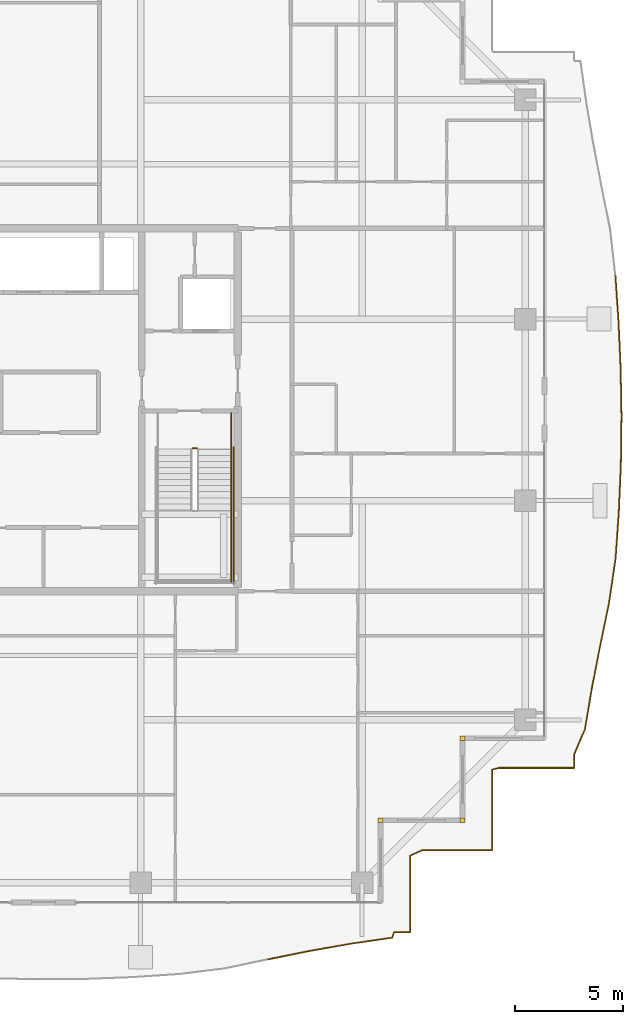
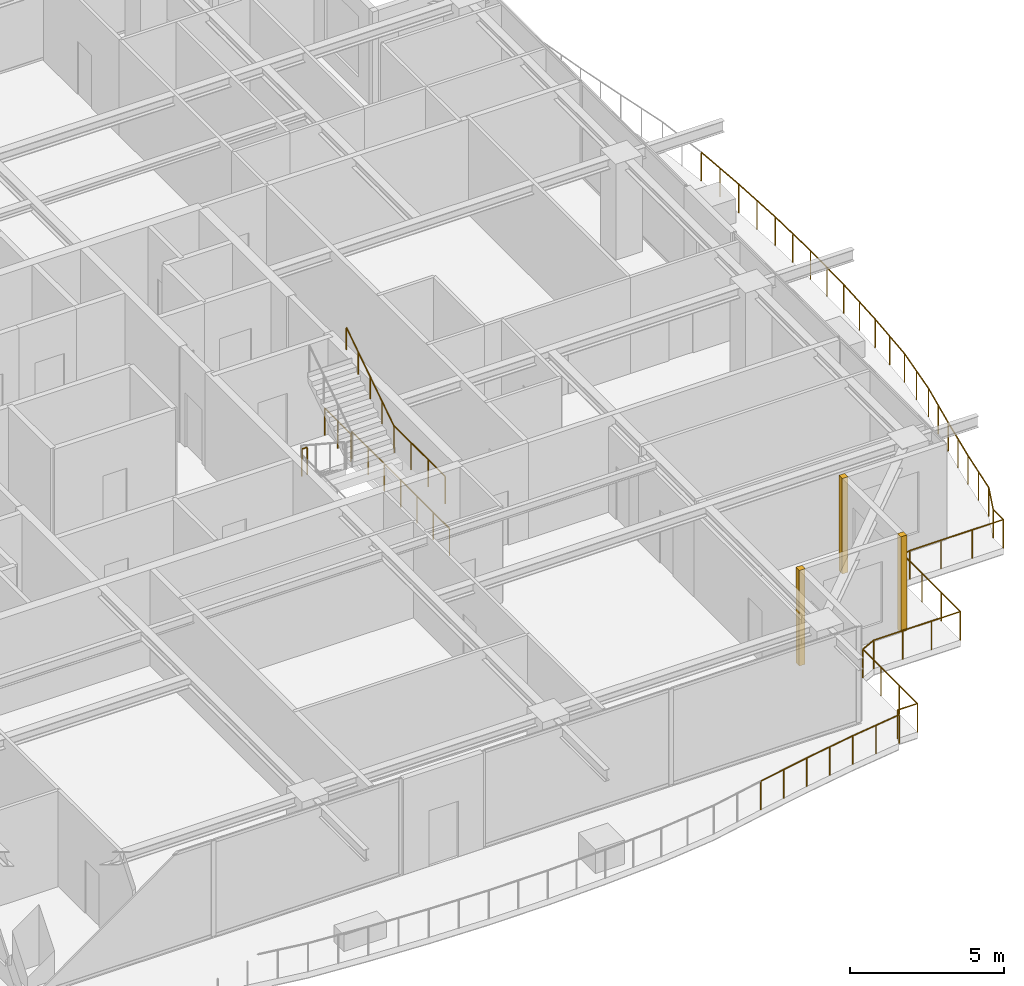
# One storey, part 41 of 42: 8 railings, 3 coverings.
"""IFC4 building model written with IfcOpenShell, lengths in metres."""

import ifcopenshell
import ifcopenshell.guid

model = None  # the IFC model being written
_history = None  # IfcOwnerHistory: only IFC2X3 demands one
_inside = {}  # id of a spatial element -> (the spatial element, [elements in it])
_under = {}  # id of a project, library or spatial element -> (it, [spatial elements below it])
_declared = {}  # id of a project -> (the project, [libraries it declares])
_typed = {}  # id of a type object -> (the type object, [elements of that type])
_made_of = {}  # id of a material, layer set ... -> (it, [elements and type objects made of it])


def new_model(schema):
    """Start an empty IFC model of exactly this schema.

    Asked for "IFC4X3", IfcOpenShell would pick the latest addendum, in which some entities
    have other attributes; the version numbers below select the first issue.
    IFC2X3 requires an IfcOwnerHistory on every rooted entity: one is made here for all.
    """
    global model, _history
    if schema == "IFC4X3":
        model = ifcopenshell.file(schema_version=(4, 3, 0, 0))
    else:
        model = ifcopenshell.file(schema=schema)
    _inside.clear()
    _under.clear()
    _declared.clear()
    _typed.clear()
    _made_of.clear()
    _history = None
    if model.schema == "IFC2X3":
        org = make("IfcOrganization", Name="unknown")
        user = make(
            "IfcPersonAndOrganization",
            ThePerson=make("IfcPerson", FamilyName="unknown"),
            TheOrganization=org,
        )
        app = make(
            "IfcApplication",
            ApplicationDeveloper=org,
            Version="unknown",
            ApplicationFullName="unknown",
            ApplicationIdentifier="unknown",
        )
        _history = make(
            "IfcOwnerHistory",
            OwningUser=user,
            OwningApplication=app,
            ChangeAction="ADDED",
            CreationDate=0,
        )
    return model


def make(cls, **values):
    """One entity of the class cls with the attributes given. An attribute that is None is left unset."""
    return model.create_entity(
        cls, **{name: value for name, value in values.items() if value is not None}
    )


def rooted(cls, **values):
    """An entity with a GlobalId (a new one), such as an element, a storey or a relation."""
    return make(cls, GlobalId=ifcopenshell.guid.new(), OwnerHistory=_history, **values)


def si_unit(unit_type, name, prefix=None):
    """IfcSIUnit, for example si_unit("LENGTHUNIT", "METRE", prefix="MILLI")."""
    return make("IfcSIUnit", UnitType=unit_type, Prefix=prefix, Name=name)


def assignment(units):
    """IfcUnitAssignment: the units of a project."""
    return None if units is None else make("IfcUnitAssignment", Units=units)


def point(xyz):
    """IfcCartesianPoint."""
    return None if xyz is None else make("IfcCartesianPoint", Coordinates=xyz)


def direction(xyz):
    """IfcDirection."""
    return None if xyz is None else make("IfcDirection", DirectionRatios=xyz)


def frame(location, z_axis=None, x_axis=None):
    """IfcAxis2Placement3D, a coordinate frame: its origin and axes. An axis left out is left unset."""
    return make(
        "IfcAxis2Placement3D",
        Location=point(location),
        Axis=direction(z_axis),
        RefDirection=direction(x_axis),
    )


def frame_2d(location, x_axis=None):
    """IfcAxis2Placement2D, a coordinate frame in the plane: its origin and x axis."""
    return make(
        "IfcAxis2Placement2D", Location=point(location), RefDirection=direction(x_axis)
    )


def origin():
    """The frame at (0, 0, 0) with its axes left unset."""
    return frame((0.0, 0.0, 0.0))


def origin_2d():
    """The frame at (0, 0) in the plane with its x axis left unset."""
    return frame_2d((0.0, 0.0))


def place(relative_to, where):
    """IfcLocalPlacement: puts the frame where relative to a parent placement (None: the world)."""
    return make(
        "IfcLocalPlacement", PlacementRelTo=relative_to, RelativePlacement=where
    )


def context(
    kind, dimensions, precision=None, world=None, true_north=None, identifier=None
):
    """IfcGeometricRepresentationContext, for example the 3D "Model" context."""
    return make(
        "IfcGeometricRepresentationContext",
        ContextIdentifier=identifier,
        ContextType=kind,
        CoordinateSpaceDimension=dimensions,
        Precision=precision,
        WorldCoordinateSystem=world,
        TrueNorth=true_north,
    )


def subcontext(parent, identifier, kind, view, scale=None):
    """IfcGeometricRepresentationSubContext, for example "Body" below "Model"."""
    return make(
        "IfcGeometricRepresentationSubContext",
        ContextIdentifier=identifier,
        ContextType=kind,
        ParentContext=parent,
        TargetScale=scale,
        TargetView=view,
    )


def project(units=None, contexts=None):
    """IfcProject with its units and contexts."""
    return rooted(
        "IfcProject",
        Name="project",
        RepresentationContexts=contexts,
        UnitsInContext=assignment(units),
    )


def spatial(cls, under=None, at=None, **own):
    """A site, building, storey or space (cls), placed at a placement, below another one or the project."""
    s = rooted(cls, ObjectPlacement=at, **own)
    if under is not None:
        _under.setdefault(under.id(), (under, []))[1].append(s)
    return s


def profile(cls, at=None, kind="AREA", **sizes):
    """A parametric profile (cls). Its sizes go by their IFC names, for example OverallWidth=200.0."""
    return make(cls, ProfileType=kind, Position=at, **sizes)


def rectangle(**sizes):
    """IfcRectangleProfileDef."""
    return profile("IfcRectangleProfileDef", **sizes)


def circle(**sizes):
    """IfcCircleProfileDef."""
    return profile("IfcCircleProfileDef", **sizes)


def extrude(swept, where, along, depth):
    """IfcExtrudedAreaSolid: the profile swept, set in the frame where, extruded along a direction by depth."""
    return make(
        "IfcExtrudedAreaSolid",
        SweptArea=swept,
        Position=where,
        ExtrudedDirection=direction(along),
        Depth=depth,
    )


def shape(context_of_items, identifier, shape_type, items):
    """IfcShapeRepresentation: the items that make up one representation, for example the "Body"."""
    return make(
        "IfcShapeRepresentation",
        ContextOfItems=context_of_items,
        RepresentationIdentifier=identifier,
        RepresentationType=shape_type,
        Items=items,
    )


def source(mapping_origin, context_of_items, identifier, shape_type, items):
    """IfcRepresentationMap: a shape defined once, which mapped items show again and again."""
    return make(
        "IfcRepresentationMap",
        MappingOrigin=mapping_origin,
        MappedRepresentation=shape(context_of_items, identifier, shape_type, items),
    )


def transform(
    local_origin,
    x_axis=None,
    y_axis=None,
    z_axis=None,
    scale=None,
    scale2=None,
    scale3=None,
    uniform=True,
):
    """IfcCartesianTransformationOperator3D, or its non-uniform kind. x_axis, y_axis, z_axis: its Axis1, 2, 3."""
    if uniform:
        return make(
            "IfcCartesianTransformationOperator3D",
            Axis1=direction(x_axis),
            Axis2=direction(y_axis),
            LocalOrigin=point(local_origin),
            Scale=scale,
            Axis3=direction(z_axis),
        )
    return make(
        "IfcCartesianTransformationOperator3DnonUniform",
        Axis1=direction(x_axis),
        Axis2=direction(y_axis),
        LocalOrigin=point(local_origin),
        Scale=scale,
        Axis3=direction(z_axis),
        Scale2=scale2,
        Scale3=scale3,
    )


def mapped(mapping_source, mapping_target):
    """IfcMappedItem: shows the shape of a source again, moved by a transform."""
    return make(
        "IfcMappedItem", MappingSource=mapping_source, MappingTarget=mapping_target
    )


def material(Name=None, Category=None):
    """IfcMaterial."""
    return make("IfcMaterial", Name=Name, Category=Category)


def layer(
    of_material, thickness, ventilated=None, Name=None, Category=None, Priority=None
):
    """IfcMaterialLayer: one layer of a wall or slab, of a material (None: an air gap)."""
    return make(
        "IfcMaterialLayer",
        Material=of_material,
        LayerThickness=thickness,
        IsVentilated=ventilated,
        Name=Name,
        Category=Category,
        Priority=Priority,
    )


def layer_set(layers, Name=None):
    """IfcMaterialLayerSet."""
    return make("IfcMaterialLayerSet", MaterialLayers=layers, LayerSetName=Name)


def made_of(thing, what):
    """Note that an element or type object is made of a material, layer set ...; save() writes the relation."""
    if what is not None:
        _made_of.setdefault(what.id(), (what, []))[1].append(thing)
    return thing


def type_object(cls, material=None, **own):
    """A type object (cls), such as IfcWallType, which elements share."""
    return made_of(rooted(cls, **own), material)


def element(
    cls,
    number,
    at=None,
    inside=None,
    cuts=None,
    type_object=None,
    material=None,
    context=None,
    identifier="Body",
    shape_type=None,
    held_by="IfcProductDefinitionShape",
    body=None,
    shapes=None,
    **own,
):
    """One element of the class cls, such as IfcWall. Its Tag is "e" and its number.

    at: its placement. inside: the storey or other place that contains it. cuts: it is an
    opening in that element (IfcRelVoidsElement). A single representation is given by context,
    identifier, shape_type and body (its items); several are given by shapes. held_by: the class
    of the entity that holds the representations. save() writes the other relations.
    """
    e = rooted(cls, Tag="e%d" % number, ObjectPlacement=at, **own)
    if body is not None:
        shapes = [shape(context, identifier, shape_type, body)]
    if shapes is not None:
        e.Representation = make(held_by, Representations=shapes)
    if inside is not None:
        _inside.setdefault(inside.id(), (inside, []))[1].append(e)
    if cuts is not None:
        rooted(
            "IfcRelVoidsElement", RelatingBuildingElement=cuts, RelatedOpeningElement=e
        )
    if type_object is not None:
        _typed.setdefault(type_object.id(), (type_object, []))[1].append(e)
    return made_of(e, material)


def aggregate(whole, parts):
    """IfcRelAggregates: a whole, such as a stair, and the parts it consists of."""
    return rooted("IfcRelAggregates", RelatingObject=whole, RelatedObjects=parts)


def save(model, path):
    """Write the relations noted so far, then the file.

    IfcRelAggregates (storeys below a building ...), IfcRelContainedInSpatialStructure (elements
    in a storey), IfcRelDefinesByType, IfcRelAssociatesMaterial and IfcRelDeclares: one each for
    every whole, place, type object, material and project.
    """
    for whole, parts in _under.values():
        aggregate(whole, parts)
    for where, things in _inside.values():
        rooted(
            "IfcRelContainedInSpatialStructure",
            RelatedElements=things,
            RelatingStructure=where,
        )
    for kind, things in _typed.values():
        rooted("IfcRelDefinesByType", RelatedObjects=things, RelatingType=kind)
    for what, things in _made_of.values():
        rooted("IfcRelAssociatesMaterial", RelatedObjects=things, RelatingMaterial=what)
    for by, libraries in _declared.values():
        rooted("IfcRelDeclares", RelatingContext=by, RelatedDefinitions=libraries)
    model.write(path)


model = new_model("IFC4")

# Units and contexts
model_context = context("Model", 3, precision=1e-05, world=origin(), true_north=direction((0.0, 1.0)))
body_context = subcontext(model_context, "Body", "Model", "MODEL_VIEW")
ifc_project = project(units=[si_unit("LENGTHUNIT", "METRE"), si_unit("AREAUNIT", "SQUARE_METRE"), si_unit("VOLUMEUNIT", "CUBIC_METRE"), si_unit("PLANEANGLEUNIT", "RADIAN"), si_unit("MASSUNIT", "GRAM", prefix="KILO")], contexts=[model_context])

# Site, building, storey
site_placement = place(None, origin())
site = spatial("IfcSite", under=ifc_project, at=site_placement, CompositionType="ELEMENT")
building_placement = place(site_placement, origin())
building = spatial("IfcBuilding", under=site, at=building_placement, Name="Serunith Strait Residences", CompositionType="ELEMENT")
storey_placement = place(building_placement, frame((0.0, 0.0, 297.5)))
storey = spatial("IfcBuildingStorey", under=building, at=storey_placement, Name="L74", CompositionType="ELEMENT", Elevation=297.5)

# Railings
ifc_material_1 = material(Name="Stainless Steel & Laminated Glass Balustrade", Category="steel")
railing_type_1 = type_object("IfcRailingType", Name="RLG-BALC-1150", PredefinedType="BALUSTRADE", material=ifc_material_1)
railing_1_placement = place(storey_placement, frame((58.87841796875, 31.458251953125, -0.050048828125)))
element("IfcRailing", 1, at=railing_1_placement, inside=storey, type_object=railing_type_1, Name="L74 Swirling Balcony Perimeter Balustrade 4", PredefinedType="BALUSTRADE", context=body_context, shape_type="SweptSolid", body=[
    extrude(circle(Radius=0.02392578125, at=origin_2d()), frame((0.000244140625, -0.001953125, 1.1259765625), z_axis=(0.06795262557, -0.997688548936, 0.0), x_axis=(0.997688548936, 0.06795262557, 0.0)), (0.0, 0.0, 1.0), 2.166015625),
    extrude(circle(Radius=0.02392578125, at=origin_2d()), frame((0.1474609375, -2.1669921875, 1.1259765625), z_axis=(0.045160425064, -0.998979747546, 0.0), x_axis=(0.998979747546, 0.045160425064, 0.0)), (0.0, 0.0, 1.0), 2.19091796875),
    extrude(circle(Radius=0.02392578125, at=origin_2d()), frame((0.24658203125, -4.359619140625, 1.1259765625), z_axis=(0.017355041926, -0.999849389918, 0.0), x_axis=(0.999849389918, 0.017355041926, 0.0)), (0.0, 0.0, 1.0), 2.20458984375),
    extrude(circle(Radius=0.02392578125, at=origin_2d()), frame((0.284912109375, -6.56787109375, 1.1259765625), z_axis=(-0.012934241333, -0.999916349202, 0.0), x_axis=(0.999916349202, -0.012934241333, 0.0)), (0.0, 0.0, 1.0), 2.204345703125),
    extrude(circle(Radius=0.02392578125, at=origin_2d()), frame((0.25634765625, -8.776123046875, 1.1259765625), z_axis=(-0.042838464692, -0.99908201162, 0.0), x_axis=(0.99908201162, -0.042838464692, 0.0)), (0.0, 0.0, 1.0), 2.190185546875),
    extrude(circle(Radius=0.02392578125, at=origin_2d()), frame((0.162109375, -10.96826171875, 1.1259765625), z_axis=(-0.069053381699, -0.997612966273, 0.0), x_axis=(0.997612966273, -0.069053381699, 0.0)), (0.0, 0.0, 1.0), 2.163330078125),
    extrude(circle(Radius=0.02392578125, at=origin_2d()), frame((0.012451171875, -13.13037109375, 1.1259765625), z_axis=(-0.145704222893, -0.989328196015, 0.0), x_axis=(0.989328196015, -0.145704222893, 0.0)), (0.0, 0.0, 1.0), 2.102294921875),
    extrude(circle(Radius=0.02099609375, at=origin_2d()), origin(), (0.0, 0.0, 1.0), 1.099853515625),
    extrude(circle(Radius=0.02099609375, at=origin_2d()), frame((0.07373046875, -1.08251953125, 0.0)), (0.0, 0.0, 1.0), 1.099853515625),
    extrude(circle(Radius=0.02099609375, at=origin_2d()), frame((0.1474609375, -2.1650390625, 0.0)), (0.0, 0.0, 1.0), 1.099853515625),
    extrude(circle(Radius=0.02099609375, at=origin_2d()), frame((0.197021484375, -3.26123046875, 0.0)), (0.0, 0.0, 1.0), 1.099853515625),
    extrude(circle(Radius=0.02099609375, at=origin_2d()), frame((0.24658203125, -4.357666015625, 0.0)), (0.0, 0.0, 1.0), 1.099853515625),
    extrude(circle(Radius=0.02099609375, at=origin_2d()), frame((0.265625, -5.4619140625, 0.0)), (0.0, 0.0, 1.0), 1.099853515625),
    extrude(circle(Radius=0.02099609375, at=origin_2d()), frame((0.284912109375, -6.56591796875, 0.0)), (0.0, 0.0, 1.0), 1.099853515625),
    extrude(circle(Radius=0.02099609375, at=origin_2d()), frame((0.2705078125, -7.669921875, 0.0)), (0.0, 0.0, 1.0), 1.099853515625),
    extrude(circle(Radius=0.02099609375, at=origin_2d()), frame((0.25634765625, -8.774169921875, 0.0)), (0.0, 0.0, 1.0), 1.099853515625),
    extrude(circle(Radius=0.02099609375, at=origin_2d()), frame((0.20947265625, -9.8701171875, 0.0)), (0.0, 0.0, 1.0), 1.099853515625),
    extrude(circle(Radius=0.02099609375, at=origin_2d()), frame((0.162353515625, -10.96630859375, 0.0)), (0.0, 0.0, 1.0), 1.099853515625),
    extrude(circle(Radius=0.02099609375, at=origin_2d()), frame((0.08740234375, -12.04736328125, 0.0)), (0.0, 0.0, 1.0), 1.099853515625),
    extrude(circle(Radius=0.02099609375, at=origin_2d()), frame((0.0126953125, -13.12841796875, 0.0)), (0.0, 0.0, 1.0), 1.099853515625),
    extrude(circle(Radius=0.02099609375, at=origin_2d()), frame((-0.140625, -14.17041015625, 0.0)), (0.0, 0.0, 1.0), 1.099853515625),
    extrude(circle(Radius=0.02099609375, at=origin_2d()), frame((-0.294189453125, -15.212158203125, 0.0)), (0.0, 0.0, 1.0), 1.099853515625),
])
railing_2_placement = place(storey_placement, frame((58.584228515625, 16.24609375, -0.050048828125)))
element("IfcRailing", 2, at=railing_2_placement, inside=storey, type_object=railing_type_1, Name="L74 Swirling Balcony Perimeter Balustrade 5", PredefinedType="BALUSTRADE", context=body_context, shape_type="SweptSolid", body=[
    extrude(circle(Radius=0.02392578125, at=origin_2d()), frame((-0.00048828125, -0.001953125, 1.1259765625), z_axis=(-0.203349144549, -0.979106289129, 0.0), x_axis=(0.979106289129, -0.203349144549, 0.0)), (0.0, 0.0, 1.0), 2.026123046875),
    extrude(circle(Radius=0.02392578125, at=origin_2d()), frame((-0.413330078125, -1.98974609375, 1.1259765625), z_axis=(-0.1910483824, -0.98158062103, 0.0), x_axis=(0.98158062103, -0.1910483824, 0.0)), (0.0, 0.0, 1.0), 1.970458984375),
    extrude(circle(Radius=0.02392578125, at=origin_2d()), frame((-0.790283203125, -3.927734375, 1.1259765625), z_axis=(-0.166690335324, -0.986009296158, 0.0), x_axis=(0.986009296158, -0.166690335324, 0.0)), (0.0, 0.0, 1.0), 1.9306640625),
    extrude(circle(Radius=0.02392578125, at=origin_2d()), frame((-1.11328125, -5.83544921875, 1.1259765625), z_axis=(-0.397009892886, -0.917814330326, 0.0), x_axis=(0.917814330326, -0.397009892886, 0.0)), (0.0, 0.0, 1.0), 1.234619140625),
    extrude(circle(Radius=0.02392578125, at=origin_2d()), frame((-1.604248046875, -6.97216796875, 1.1259765625), z_axis=(0.0, -1.0, 0.0), x_axis=(1.0, 0.0, 0.0)), (0.0, 0.0, 1.0), 0.65185546875),
    extrude(circle(Radius=0.02392578125, at=origin_2d()), frame((-1.606201171875, -7.6259765625, 1.1259765625), z_axis=(-1.0, 0.0, 0.0), x_axis=(0.0, -1.0, 0.0)), (0.0, 0.0, 1.0), 3.494140625),
    extrude(circle(Radius=0.02392578125, at=origin_2d()), frame((-5.104248046875, -7.62646484375, 1.1259765625), z_axis=(-0.97018861834, -0.242351077661, 0.0), x_axis=(0.242351077661, -0.97018861834, 0.0)), (0.0, 0.0, 1.0), 0.307373046875),
    extrude(circle(Radius=0.02392578125, at=origin_2d()), frame((-5.404296875, -7.703369140625, 1.1259765625), z_axis=(0.0, -1.0, 0.0), x_axis=(1.0, 0.0, 0.0)), (0.0, 0.0, 1.0), 3.720703125),
    extrude(circle(Radius=0.02099609375, at=origin_2d()), origin(), (0.0, 0.0, 1.0), 1.099853515625),
    extrude(circle(Radius=0.02099609375, at=origin_2d()), frame((-0.20654296875, -0.993896484375, 0.0)), (0.0, 0.0, 1.0), 1.099853515625),
    extrude(circle(Radius=0.02099609375, at=origin_2d()), frame((-0.412841796875, -1.98779296875, 0.0)), (0.0, 0.0, 1.0), 1.099853515625),
    extrude(circle(Radius=0.02099609375, at=origin_2d()), frame((-0.6015625, -2.956787109375, 0.0)), (0.0, 0.0, 1.0), 1.099853515625),
    extrude(circle(Radius=0.02099609375, at=origin_2d()), frame((-0.7900390625, -3.92578125, 0.0)), (0.0, 0.0, 1.0), 1.099853515625),
    extrude(circle(Radius=0.02099609375, at=origin_2d()), frame((-0.951171875, -4.879638671875, 0.0)), (0.0, 0.0, 1.0), 1.099853515625),
    extrude(circle(Radius=0.02099609375, at=origin_2d()), frame((-1.112548828125, -5.83349609375, 0.0)), (0.0, 0.0, 1.0), 1.099853515625),
    extrude(circle(Radius=0.02099609375, at=origin_2d()), frame((-1.604248046875, -6.97021484375, 0.0)), (0.0, 0.0, 1.0), 1.099853515625),
    extrude(circle(Radius=0.02099609375, at=origin_2d()), frame((-1.604248046875, -7.6259765625, 0.0)), (0.0, 0.0, 1.0), 1.099853515625),
    extrude(circle(Radius=0.02099609375, at=origin_2d()), frame((-2.770263671875, -7.6259765625, 0.0)), (0.0, 0.0, 1.0), 1.099853515625),
    extrude(circle(Radius=0.02099609375, at=origin_2d()), frame((-3.936279296875, -7.6259765625, 0.0)), (0.0, 0.0, 1.0), 1.099853515625),
    extrude(circle(Radius=0.02099609375, at=origin_2d()), frame((-5.102294921875, -7.6259765625, 0.0)), (0.0, 0.0, 1.0), 1.099853515625),
    extrude(circle(Radius=0.02099609375, at=origin_2d()), frame((-5.404296875, -7.701416015625, 0.0)), (0.0, 0.0, 1.0), 1.099853515625),
    extrude(circle(Radius=0.02099609375, at=origin_2d()), frame((-5.404296875, -8.94287109375, 0.0)), (0.0, 0.0, 1.0), 1.099853515625),
    extrude(circle(Radius=0.02099609375, at=origin_2d()), frame((-5.404296875, -10.1845703125, 0.0)), (0.0, 0.0, 1.0), 1.099853515625),
    extrude(circle(Radius=0.02099609375, at=origin_2d()), frame((-5.404296875, -11.426025390625, 0.0)), (0.0, 0.0, 1.0), 1.099853515625),
])
railing_3_placement = place(storey_placement, frame((53.179931640625, 4.820068359375, -0.050048828125)))
element("IfcRailing", 3, at=railing_3_placement, inside=storey, type_object=railing_type_1, Name="L74 Swirling Balcony Perimeter Balustrade 6", PredefinedType="BALUSTRADE", context=body_context, shape_type="SweptSolid", body=[
    extrude(circle(Radius=0.02392578125, at=origin_2d()), frame((-0.001953125, 0.0, 1.1259765625), z_axis=(-1.0, 0.0, 0.0), x_axis=(0.0, -1.0, 0.0)), (0.0, 0.0, 1.0), 3.233642578125),
    extrude(circle(Radius=0.02392578125, at=origin_2d()), frame((-3.2392578125, -0.000732421875, 1.1259765625), z_axis=(-0.904551600547, -0.426364165883, 0.0), x_axis=(0.426364165883, -0.904551600547, 0.0)), (0.0, 0.0, 1.0), 0.617919921875),
    extrude(circle(Radius=0.02392578125, at=origin_2d()), frame((-3.800048828125, -0.26708984375, 1.1259765625), z_axis=(0.0, -1.0, 0.0), x_axis=(1.0, 0.0, 0.0)), (0.0, 0.0, 1.0), 3.531005859375),
    extrude(circle(Radius=0.02392578125, at=origin_2d()), frame((-3.802001953125, -3.800048828125, 1.1259765625), z_axis=(-1.0, 0.0, 0.0), x_axis=(0.0, -1.0, 0.0)), (0.0, 0.0, 1.0), 0.74267578125),
    extrude(circle(Radius=0.02392578125, at=origin_2d()), frame((-4.54736328125, -3.802001953125, 1.1259765625), z_axis=(-0.31271097684, -0.949848327347, 0.0), x_axis=(0.949848327347, -0.31271097684, 0.0)), (0.0, 0.0, 1.0), 0.266845703125),
    extrude(circle(Radius=0.02392578125, at=origin_2d()), frame((-4.63330078125, -4.0576171875, 1.1259765625), z_axis=(-0.989610193278, -0.1437764423, 0.0), x_axis=(0.1437764423, -0.989610193278, 0.0)), (0.0, 0.0, 1.0), 1.911376953125),
    extrude(circle(Radius=0.02392578125, at=origin_2d()), frame((-6.52880859375, -4.3330078125, 1.1259765625), z_axis=(-0.984864491791, -0.173326088083, 0.0), x_axis=(0.173326088083, -0.984864491791, 0.0)), (0.0, 0.0, 1.0), 1.93701171875),
    extrude(circle(Radius=0.02392578125, at=origin_2d()), frame((-8.4404296875, -4.669677734375, 1.1259765625), z_axis=(-0.980367200869, -0.197180504767, 0.0), x_axis=(0.197180504767, -0.980367200869, 0.0)), (0.0, 0.0, 1.0), 1.980712890625),
    extrude(circle(Radius=0.02099609375, at=origin_2d()), origin(), (0.0, 0.0, 1.0), 1.099853515625),
    extrude(circle(Radius=0.02099609375, at=origin_2d()), frame((-1.0791015625, 0.0, 0.0)), (0.0, 0.0, 1.0), 1.099853515625),
    extrude(circle(Radius=0.02099609375, at=origin_2d()), frame((-2.158447265625, 0.0, 0.0)), (0.0, 0.0, 1.0), 1.099853515625),
    extrude(circle(Radius=0.02099609375, at=origin_2d()), frame((-3.237548828125, 0.0, 0.0)), (0.0, 0.0, 1.0), 1.099853515625),
    extrude(circle(Radius=0.02099609375, at=origin_2d()), frame((-3.800048828125, -0.26513671875, 0.0)), (0.0, 0.0, 1.0), 1.099853515625),
    extrude(circle(Radius=0.02099609375, at=origin_2d()), frame((-3.800048828125, -1.443359375, 0.0)), (0.0, 0.0, 1.0), 1.099853515625),
    extrude(circle(Radius=0.02099609375, at=origin_2d()), frame((-3.800048828125, -2.621826171875, 0.0)), (0.0, 0.0, 1.0), 1.099853515625),
    extrude(circle(Radius=0.02099609375, at=origin_2d()), frame((-3.800048828125, -3.800048828125, 0.0)), (0.0, 0.0, 1.0), 1.099853515625),
    extrude(circle(Radius=0.02099609375, at=origin_2d()), frame((-4.546630859375, -3.800048828125, 0.0)), (0.0, 0.0, 1.0), 1.099853515625),
    extrude(circle(Radius=0.02099609375, at=origin_2d()), frame((-4.63134765625, -4.057373046875, 0.0)), (0.0, 0.0, 1.0), 1.099853515625),
    extrude(circle(Radius=0.02099609375, at=origin_2d()), frame((-5.5791015625, -4.195068359375, 0.0)), (0.0, 0.0, 1.0), 1.099853515625),
    extrude(circle(Radius=0.02099609375, at=origin_2d()), frame((-6.52685546875, -4.332763671875, 0.0)), (0.0, 0.0, 1.0), 1.099853515625),
    extrude(circle(Radius=0.02099609375, at=origin_2d()), frame((-7.482666015625, -4.5009765625, 0.0)), (0.0, 0.0, 1.0), 1.099853515625),
    extrude(circle(Radius=0.02099609375, at=origin_2d()), frame((-8.4384765625, -4.669189453125, 0.0)), (0.0, 0.0, 1.0), 1.099853515625),
    extrude(circle(Radius=0.02099609375, at=origin_2d()), frame((-9.411376953125, -4.86474609375, 0.0)), (0.0, 0.0, 1.0), 1.099853515625),
    extrude(circle(Radius=0.02099609375, at=origin_2d()), frame((-10.38427734375, -5.060546875, 0.0)), (0.0, 0.0, 1.0), 1.099853515625),
])
ifc_material_2 = material(Name="Brushed stainless steel 316L", Category="steel")
railing_type_2 = type_object("IfcRailingType", Name="RLG-STAIR-GUARD", PredefinedType="BALUSTRADE", material=ifc_material_2)
railing_4_placement = place(storey_placement, frame((41.10009765625, 20.570068359375, 2.02490234375)))
element("IfcRailing", 4, at=railing_4_placement, inside=storey, type_object=railing_type_2, Name="L74 ST-2 stair guard 4", PredefinedType="BALUSTRADE", context=body_context, shape_type="SweptSolid", body=[
    extrude(circle(Radius=0.02392578125, at=origin_2d()), frame((0.0, -0.001953125, 1.076171875), z_axis=(0.0, -1.0, 0.0), x_axis=(1.0, 0.0, 0.0)), (0.0, 0.0, 1.0), 3.316162109375),
    extrude(circle(Radius=0.02099609375, at=origin_2d()), origin(), (0.0, 0.0, 1.0), 1.050048828125),
    extrude(circle(Radius=0.02099609375, at=origin_2d()), frame((0.0, -1.106689453125, 0.0)), (0.0, 0.0, 1.0), 1.050048828125),
    extrude(circle(Radius=0.02099609375, at=origin_2d()), frame((0.0, -2.21337890625, 0.0)), (0.0, 0.0, 1.0), 1.050048828125),
    extrude(circle(Radius=0.02099609375, at=origin_2d()), frame((0.0, -3.320068359375, 0.0)), (0.0, 0.0, 1.0), 1.050048828125),
])
railing_5_placement = place(storey_placement, frame((39.300048828125, 23.419921875, 0.0)))
element("IfcRailing", 5, at=railing_5_placement, inside=storey, type_object=railing_type_2, Name="L74 ST-2 stair guard 7", PredefinedType="BALUSTRADE", context=body_context, shape_type="SweptSolid", body=[
    extrude(circle(Radius=0.02392578125, at=origin_2d()), frame((0.001953125, 0.0, 1.076171875), z_axis=(1.0, 0.0, 0.0), x_axis=(0.0, 1.0, 0.0)), (0.0, 0.0, 1.0), 0.196044921875),
    extrude(circle(Radius=0.02099609375, at=origin_2d()), origin(), (0.0, 0.0, 1.0), 1.050048828125),
    extrude(circle(Radius=0.02099609375, at=origin_2d()), frame((0.199951171875, 0.0, 0.0)), (0.0, 0.0, 1.0), 1.050048828125),
])
railing_6_placement = place(storey_placement, frame((41.10009765625, 25.050048828125, 0.0)))
element("IfcRailing", 6, at=railing_6_placement, inside=storey, type_object=railing_type_2, Name="L74 ST-2 stair guard 9", PredefinedType="BALUSTRADE", context=body_context, shape_type="SweptSolid", body=[
    extrude(circle(Radius=0.02392578125, at=origin_2d()), frame((0.0, -0.001953125, 1.076171875), z_axis=(0.0, -1.0, 0.0), x_axis=(1.0, 0.0, 0.0)), (0.0, 0.0, 1.0), 1.676025390625),
    extrude(circle(Radius=0.02099609375, at=origin_2d()), origin(), (0.0, 0.0, 1.0), 1.050048828125),
    extrude(circle(Radius=0.02099609375, at=origin_2d()), frame((0.0, -0.83984375, 0.0)), (0.0, 0.0, 1.0), 1.050048828125),
    extrude(circle(Radius=0.02099609375, at=origin_2d()), frame((0.0, -1.679931640625, 0.0)), (0.0, 0.0, 1.0), 1.050048828125),
])
railing_7_placement = place(storey_placement, frame((41.199951171875, 23.469970703125, 0.0)))
element("IfcRailing", 7, at=railing_7_placement, inside=storey, type_object=railing_type_2, Name="L74 ST-2 stair guard 11", PredefinedType="BALUSTRADE", context=body_context, shape_type="SweptSolid", body=[
    extrude(circle(Radius=0.02392578125, at=origin_2d()), frame((0.0, -0.001953125, 1.076171875), z_axis=(0.0, -1.0, 0.0), x_axis=(1.0, 0.0, 0.0)), (0.0, 0.0, 1.0), 6.316162109375),
    extrude(circle(Radius=0.02099609375, at=origin_2d()), origin(), (0.0, 0.0, 1.0), 1.050048828125),
    extrude(circle(Radius=0.02099609375, at=origin_2d()), frame((0.0, -1.05322265625, 0.0)), (0.0, 0.0, 1.0), 1.050048828125),
    extrude(circle(Radius=0.02099609375, at=origin_2d()), frame((0.0, -2.106689453125, 0.0)), (0.0, 0.0, 1.0), 1.050048828125),
    extrude(circle(Radius=0.02099609375, at=origin_2d()), frame((0.0, -3.16015625, 0.0)), (0.0, 0.0, 1.0), 1.050048828125),
    extrude(circle(Radius=0.02099609375, at=origin_2d()), frame((0.0, -4.21337890625, 0.0)), (0.0, 0.0, 1.0), 1.050048828125),
    extrude(circle(Radius=0.02099609375, at=origin_2d()), frame((0.0, -5.2666015625, 0.0)), (0.0, 0.0, 1.0), 1.050048828125),
    extrude(circle(Radius=0.02099609375, at=origin_2d()), frame((0.0, -6.320068359375, 0.0)), (0.0, 0.0, 1.0), 1.050048828125),
])
railing_type_3 = type_object("IfcRailingType", Name="RLG-STAIR-HR", PredefinedType="HANDRAIL", material=ifc_material_2)
railing_8_placement = place(storey_placement, frame((41.10009765625, 20.570068359375, 2.208984375)))
element("IfcRailing", 8, at=railing_8_placement, inside=storey, type_object=railing_type_3, Name="L74 ST-2 stair handrail 2", PredefinedType="HANDRAIL", context=body_context, shape_type="SweptSolid", body=[
    extrude(circle(Radius=0.02392578125, at=origin_2d()), frame((0.0, 0.001708984375, 0.876953125), z_axis=(0.0, 0.834940924727, 0.550339579002), x_axis=(-1.0, 0.0, 0.0)), (0.0, 0.0, 1.0), 3.6845703125),
    extrude(circle(Radius=0.02099609375, at=origin_2d()), origin(), (0.0, 0.0, 1.0), 0.849853515625),
    extrude(circle(Radius=0.02099609375, at=origin_2d()), frame((0.0, 0.77001953125, 0.507568359375)), (0.0, 0.0, 1.0), 0.849853515625),
    extrude(circle(Radius=0.02099609375, at=origin_2d()), frame((0.0, 1.5400390625, 1.01513671875)), (0.0, 0.0, 1.0), 0.849853515625),
    extrude(circle(Radius=0.02099609375, at=origin_2d()), frame((0.0, 2.309814453125, 1.5224609375)), (0.0, 0.0, 1.0), 0.849853515625),
    extrude(circle(Radius=0.02099609375, at=origin_2d()), frame((0.0, 3.079833984375, 2.030029296875)), (0.0, 0.0, 1.0), 0.849853515625),
])

# Coverings
ifc_material_3 = material(Name="Pale-Champagne Anodised Aluminium", Category="aluminium")
ifc_layer = layer(ifc_material_3, 0.219970703125, Name="Pale-Champagne Anodised Aluminium")
ifc_layer_set = layer_set([ifc_layer], Name="Pale-Champagne Anodised Aluminium")
covering_type = type_object("IfcCoveringType", Name="COV-CORN-TRIM", PredefinedType="CLADDING", material=ifc_layer_set)
shared_shape = source(origin(), body_context, "Body", "SweptSolid", [
    extrude(rectangle(XDim=0.221923828125, YDim=0.221923828125, at=origin_2d()), origin(), (0.0, 0.0, 1.0), 3.77490234375),
])
for number, where, z_axis, x_axis, name in (
    (9, (48.0, 6.199951171875, 0.0), (0.0, 0.0, 1.0), (1.0, 0.0, 0.0), "L74 Girih Serrated Corner Trim Post 02"),
    (10, (51.800048828125, 6.199951171875, 0.0), (0.0, 0.0, 1.0), (1.0, 0.0, 0.0), "L74 Girih Serrated Corner Trim Post 03"),
    (11, (51.800048828125, 10.0, 0.0), (0.0, 0.0, 1.0), (1.0, 0.0, 0.0), "L74 Girih Serrated Corner Trim Post 04"),
):
    element("IfcCovering", number, at=place(storey_placement, frame(where, z_axis=z_axis, x_axis=x_axis)), inside=storey, type_object=covering_type, Name=name, PredefinedType="CLADDING", context=body_context, shape_type="MappedRepresentation", body=[
        mapped(shared_shape, transform((0.0, 0.0, 0.0), scale=1.0)),
    ])

save(model, "model.ifc")
